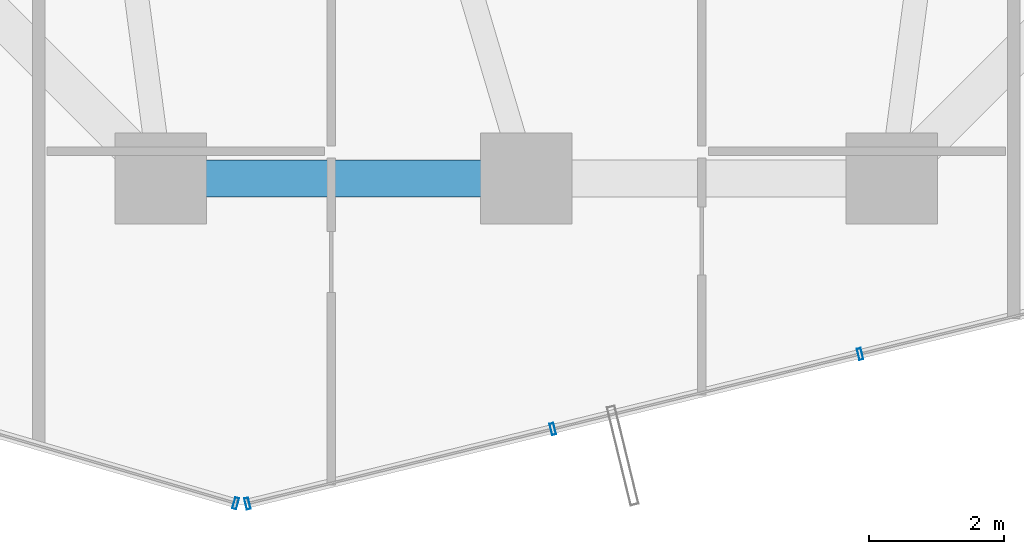
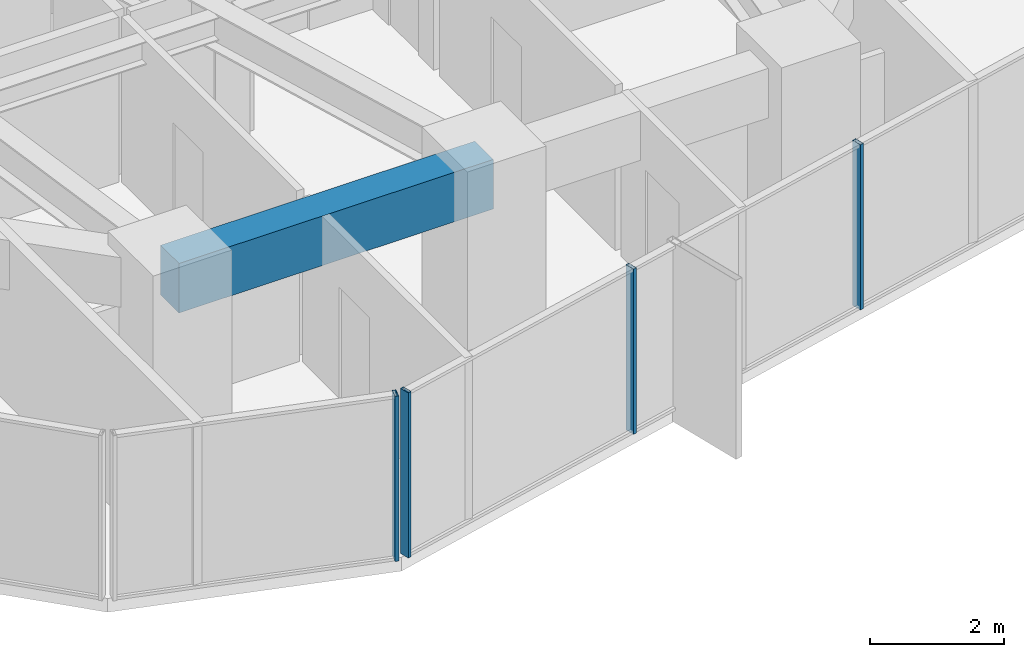
# One storey, part 6 of 37: 4 members, 1 beam, 2 elements without a shape of their own.
"""IFC4 building model written with IfcOpenShell, lengths in metres."""

from ifc_helpers import new_model, si_unit, direction, frame, origin, origin_2d, place, context, subcontext, project, spatial, rectangle, hollow_rectangle, extrude, source, transform, mapped, material, layer, layer_set, material_profile, profile_set, type_object, element, aggregate, save


model = new_model("IFC4")

# Units and contexts
model_context = context("Model", 3, precision=1e-05, world=origin(), true_north=direction((0.0, 1.0)))
body_context = subcontext(model_context, "Body", "Model", "MODEL_VIEW")
ifc_project = project(units=[si_unit("LENGTHUNIT", "METRE"), si_unit("AREAUNIT", "SQUARE_METRE"), si_unit("VOLUMEUNIT", "CUBIC_METRE"), si_unit("PLANEANGLEUNIT", "RADIAN"), si_unit("MASSUNIT", "GRAM", prefix="KILO")], contexts=[model_context])

# Site, building, storey
site_placement = place(None, origin())
site = spatial("IfcSite", under=ifc_project, at=site_placement, CompositionType="ELEMENT")
building_placement = place(site_placement, origin())
building = spatial("IfcBuilding", under=site, at=building_placement, Name="Veraguas Prism Commons", CompositionType="ELEMENT")
storey_placement = place(building_placement, frame((0.0, 0.0, 70.60009765625)))
storey = spatial("IfcBuildingStorey", under=building, at=storey_placement, Name="L19", CompositionType="ELEMENT", Elevation=70.60009765625)

# Beam
ifc_material_1 = material(Name="Concrete C50/60", Category="concrete")
ifc_material_profile_1 = material_profile(ifc_material_1, rectangle(XDim=0.550048828125, YDim=0.89990234375, at=origin_2d()), Name="RC550X900")
ifc_profile_set_1 = profile_set([ifc_material_profile_1], Name="Concrete C50/60")
beam_type = type_object("IfcBeamType", Name="Perimeter Spandrel Lower RC 550x900", PredefinedType="SPANDREL", material=ifc_profile_set_1)
beam_placement = place(storey_placement, frame((18.60009765625, 6.39990234375, 2.5498046875), z_axis=(1.0, 0.0, 0.0), x_axis=(0.0, 1.0, 0.0)))
element("IfcBeam", 1, at=beam_placement, inside=storey, type_object=beam_type, Name="Perimeter Spandrel Beam L19-SP10", PredefinedType="SPANDREL", context=body_context, shape_type="SweptSolid", body=[
    extrude(rectangle(XDim=0.550048828125, YDim=0.89990234375, at=origin_2d()), origin(), (0.0, 0.0, 1.0), 5.39990234375),
])

# Curtain wall, members
ifc_material_2 = material(Name="Anodised aluminium EN AW-6063 T6", Category="aluminium")
ifc_layer = layer(ifc_material_2, 0.169921875, Name="Unitised Flush Curtain Wall Zone 1", Category="aluminium")
ifc_layer_set = layer_set([ifc_layer], Name="Anodised aluminium EN AW-6063 T6")
curtain_wall_type = type_object("IfcCurtainWallType", Name="Unitised Flush Curtain Wall Zone 1", PredefinedType="NOTDEFINED", material=ifc_layer_set)
curtain_wall_1_placement = place(storey_placement, origin())
curtain_wall_1 = element("IfcCurtainWall", 2, at=curtain_wall_1_placement, inside=storey, type_object=curtain_wall_type, Name="Tower Facade Curtain Wall L19-F5", PredefinedType="NOTDEFINED")
ifc_material_profile_2 = material_profile(ifc_material_2, hollow_rectangle(XDim=0.06005859375, YDim=0.169921875, WallThickness=0.00390625, at=origin_2d()), Name="AL60X170X4")
ifc_profile_set_2 = profile_set([ifc_material_profile_2], Name="Anodised aluminium EN AW-6063 T6")
member_type = type_object("IfcMemberType", Name="Curtain Wall Mullion Lower AL 60x170x4", PredefinedType="MULLION", material=ifc_profile_set_2)
shared_shape = source(origin(), body_context, "Body", "SweptSolid", [
    extrude(hollow_rectangle(XDim=0.06005859375, YDim=0.169921875, WallThickness=0.00390625, at=origin_2d()), origin(), (0.0, 0.0, 1.0), 3.0),
])
member_1_placement = place(storey_placement, frame((19.883544921875, 1.599853515625, 0.0), z_axis=(0.0, 0.0, 1.0), x_axis=(0.971464732867, 0.237184048359, 0.0)))
member_1 = element("IfcMember", 3, at=member_1_placement, type_object=member_type, Name="CW-Z1 Mullion 1", PredefinedType="MULLION", context=body_context, shape_type="MappedRepresentation", body=[
    mapped(shared_shape, transform((0.0, 0.0, 0.0), scale=1.0)),
])
member_2_placement = place(storey_placement, frame((24.39208984375, 2.70068359375, 0.0), z_axis=(0.0, 0.0, 1.0), x_axis=(0.971464732867, 0.237184048359, 0.0)))
member_2 = element("IfcMember", 4, at=member_2_placement, type_object=member_type, Name="CW-Z1 Mullion 2", PredefinedType="MULLION", context=body_context, shape_type="MappedRepresentation", body=[
    mapped(shared_shape, transform((0.0, 0.0, 0.0), scale=1.0)),
])
member_3_placement = place(storey_placement, frame((28.9296875, 3.808349609375, 0.0), z_axis=(0.0, 0.0, 1.0), x_axis=(0.971464732867, 0.237184048359, 0.0)))
member_3 = element("IfcMember", 5, at=member_3_placement, type_object=member_type, Name="CW-Z1 Mullion 3", PredefinedType="MULLION", context=body_context, shape_type="MappedRepresentation", body=[
    mapped(shared_shape, transform((0.0, 0.0, 0.0), scale=1.0)),
])
aggregate(curtain_wall_1, [member_1, member_2, member_3])

# Curtain wall, member
curtain_wall_2_placement = place(storey_placement, origin())
curtain_wall_2 = element("IfcCurtainWall", 6, at=curtain_wall_2_placement, inside=storey, type_object=curtain_wall_type, Name="Chamfer Curtain Wall L19-C5", PredefinedType="NOTDEFINED")
member_4_placement = place(storey_placement, frame((19.709716796875, 1.603759765625, 0.0), z_axis=(0.0, 0.0, 1.0), x_axis=(0.95990075827, -0.280340033303, 0.0)))
member_4 = element("IfcMember", 7, at=member_4_placement, type_object=member_type, Name="CW-Z1 Mullion 2", PredefinedType="MULLION", context=body_context, shape_type="MappedRepresentation", body=[
    mapped(shared_shape, transform((0.0, 0.0, 0.0), scale=1.0)),
])
aggregate(curtain_wall_2, [member_4])

save(model, "model.ifc")
